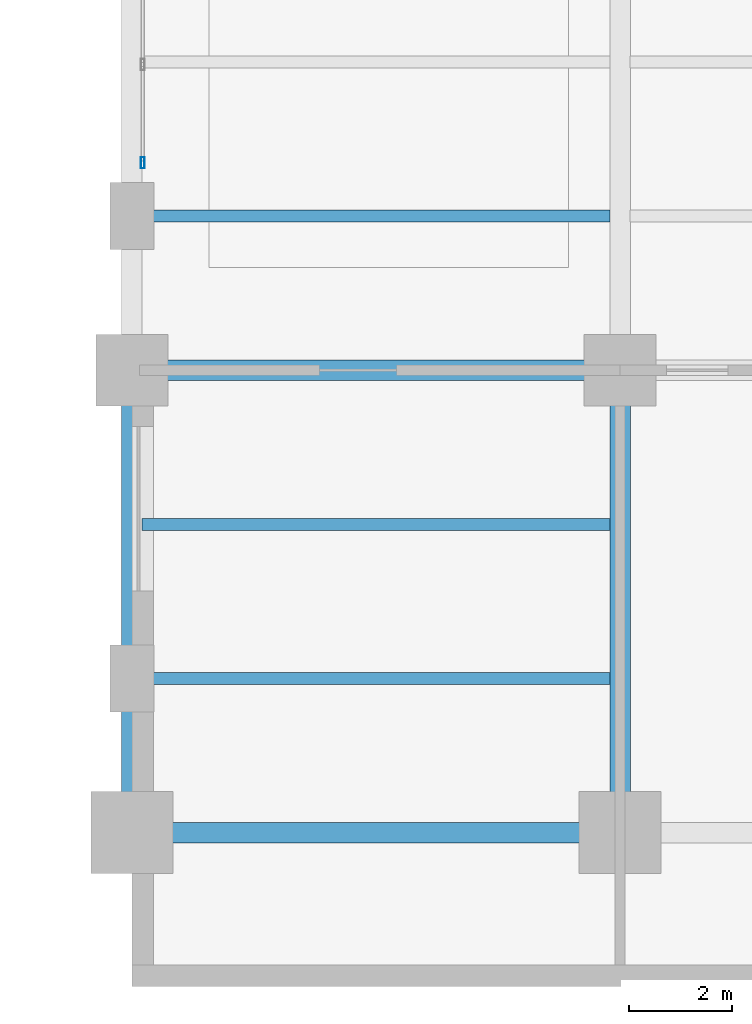
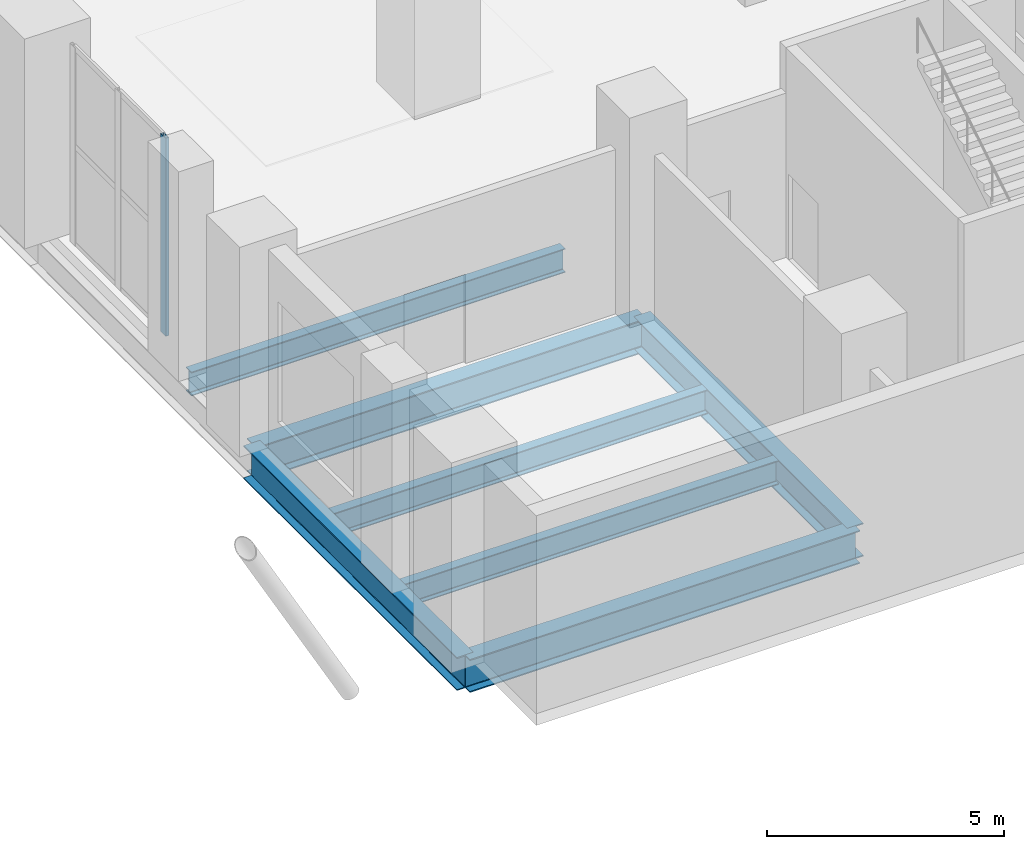
# One storey, part 7 of 20: 7 beams, 1 member, 1 element without a shape of its own.
"""IFC4 building model written with IfcOpenShell, lengths in metres."""

import ifcopenshell
import ifcopenshell.guid

model = None  # the IFC model being written
_history = None  # IfcOwnerHistory: only IFC2X3 demands one
_inside = {}  # id of a spatial element -> (the spatial element, [elements in it])
_under = {}  # id of a project, library or spatial element -> (it, [spatial elements below it])
_declared = {}  # id of a project -> (the project, [libraries it declares])
_typed = {}  # id of a type object -> (the type object, [elements of that type])
_made_of = {}  # id of a material, layer set ... -> (it, [elements and type objects made of it])


def new_model(schema):
    """Start an empty IFC model of exactly this schema.

    Asked for "IFC4X3", IfcOpenShell would pick the latest addendum, in which some entities
    have other attributes; the version numbers below select the first issue.
    IFC2X3 requires an IfcOwnerHistory on every rooted entity: one is made here for all.
    """
    global model, _history
    if schema == "IFC4X3":
        model = ifcopenshell.file(schema_version=(4, 3, 0, 0))
    else:
        model = ifcopenshell.file(schema=schema)
    _inside.clear()
    _under.clear()
    _declared.clear()
    _typed.clear()
    _made_of.clear()
    _history = None
    if model.schema == "IFC2X3":
        org = make("IfcOrganization", Name="unknown")
        user = make(
            "IfcPersonAndOrganization",
            ThePerson=make("IfcPerson", FamilyName="unknown"),
            TheOrganization=org,
        )
        app = make(
            "IfcApplication",
            ApplicationDeveloper=org,
            Version="unknown",
            ApplicationFullName="unknown",
            ApplicationIdentifier="unknown",
        )
        _history = make(
            "IfcOwnerHistory",
            OwningUser=user,
            OwningApplication=app,
            ChangeAction="ADDED",
            CreationDate=0,
        )
    return model


def make(cls, **values):
    """One entity of the class cls with the attributes given. An attribute that is None is left unset."""
    return model.create_entity(
        cls, **{name: value for name, value in values.items() if value is not None}
    )


def rooted(cls, **values):
    """An entity with a GlobalId (a new one), such as an element, a storey or a relation."""
    return make(cls, GlobalId=ifcopenshell.guid.new(), OwnerHistory=_history, **values)


def si_unit(unit_type, name, prefix=None):
    """IfcSIUnit, for example si_unit("LENGTHUNIT", "METRE", prefix="MILLI")."""
    return make("IfcSIUnit", UnitType=unit_type, Prefix=prefix, Name=name)


def assignment(units):
    """IfcUnitAssignment: the units of a project."""
    return None if units is None else make("IfcUnitAssignment", Units=units)


def point(xyz):
    """IfcCartesianPoint."""
    return None if xyz is None else make("IfcCartesianPoint", Coordinates=xyz)


def direction(xyz):
    """IfcDirection."""
    return None if xyz is None else make("IfcDirection", DirectionRatios=xyz)


def frame(location, z_axis=None, x_axis=None):
    """IfcAxis2Placement3D, a coordinate frame: its origin and axes. An axis left out is left unset."""
    return make(
        "IfcAxis2Placement3D",
        Location=point(location),
        Axis=direction(z_axis),
        RefDirection=direction(x_axis),
    )


def frame_2d(location, x_axis=None):
    """IfcAxis2Placement2D, a coordinate frame in the plane: its origin and x axis."""
    return make(
        "IfcAxis2Placement2D", Location=point(location), RefDirection=direction(x_axis)
    )


def origin():
    """The frame at (0, 0, 0) with its axes left unset."""
    return frame((0.0, 0.0, 0.0))


def origin_2d():
    """The frame at (0, 0) in the plane with its x axis left unset."""
    return frame_2d((0.0, 0.0))


def place(relative_to, where):
    """IfcLocalPlacement: puts the frame where relative to a parent placement (None: the world)."""
    return make(
        "IfcLocalPlacement", PlacementRelTo=relative_to, RelativePlacement=where
    )


def context(
    kind, dimensions, precision=None, world=None, true_north=None, identifier=None
):
    """IfcGeometricRepresentationContext, for example the 3D "Model" context."""
    return make(
        "IfcGeometricRepresentationContext",
        ContextIdentifier=identifier,
        ContextType=kind,
        CoordinateSpaceDimension=dimensions,
        Precision=precision,
        WorldCoordinateSystem=world,
        TrueNorth=true_north,
    )


def subcontext(parent, identifier, kind, view, scale=None):
    """IfcGeometricRepresentationSubContext, for example "Body" below "Model"."""
    return make(
        "IfcGeometricRepresentationSubContext",
        ContextIdentifier=identifier,
        ContextType=kind,
        ParentContext=parent,
        TargetScale=scale,
        TargetView=view,
    )


def project(units=None, contexts=None):
    """IfcProject with its units and contexts."""
    return rooted(
        "IfcProject",
        Name="project",
        RepresentationContexts=contexts,
        UnitsInContext=assignment(units),
    )


def spatial(cls, under=None, at=None, **own):
    """A site, building, storey or space (cls), placed at a placement, below another one or the project."""
    s = rooted(cls, ObjectPlacement=at, **own)
    if under is not None:
        _under.setdefault(under.id(), (under, []))[1].append(s)
    return s


def profile(cls, at=None, kind="AREA", **sizes):
    """A parametric profile (cls). Its sizes go by their IFC names, for example OverallWidth=200.0."""
    return make(cls, ProfileType=kind, Position=at, **sizes)


def hollow_rectangle(**sizes):
    """IfcRectangleHollowProfileDef."""
    return profile("IfcRectangleHollowProfileDef", **sizes)


def i_section(**sizes):
    """IfcIShapeProfileDef."""
    return profile("IfcIShapeProfileDef", **sizes)


def extrude(swept, where, along, depth):
    """IfcExtrudedAreaSolid: the profile swept, set in the frame where, extruded along a direction by depth."""
    return make(
        "IfcExtrudedAreaSolid",
        SweptArea=swept,
        Position=where,
        ExtrudedDirection=direction(along),
        Depth=depth,
    )


def shape(context_of_items, identifier, shape_type, items):
    """IfcShapeRepresentation: the items that make up one representation, for example the "Body"."""
    return make(
        "IfcShapeRepresentation",
        ContextOfItems=context_of_items,
        RepresentationIdentifier=identifier,
        RepresentationType=shape_type,
        Items=items,
    )


def material(Name=None, Category=None):
    """IfcMaterial."""
    return make("IfcMaterial", Name=Name, Category=Category)


def layer(
    of_material, thickness, ventilated=None, Name=None, Category=None, Priority=None
):
    """IfcMaterialLayer: one layer of a wall or slab, of a material (None: an air gap)."""
    return make(
        "IfcMaterialLayer",
        Material=of_material,
        LayerThickness=thickness,
        IsVentilated=ventilated,
        Name=Name,
        Category=Category,
        Priority=Priority,
    )


def layer_set(layers, Name=None):
    """IfcMaterialLayerSet."""
    return make("IfcMaterialLayerSet", MaterialLayers=layers, LayerSetName=Name)


def material_profile(
    of_material, cross_section, Name=None, Category=None, Priority=None
):
    """IfcMaterialProfile: a cross section and its material."""
    return make(
        "IfcMaterialProfile",
        Name=Name,
        Material=of_material,
        Profile=cross_section,
        Priority=Priority,
        Category=Category,
    )


def profile_set(profiles, Name=None, composite=None):
    """IfcMaterialProfileSet."""
    return make(
        "IfcMaterialProfileSet",
        Name=Name,
        MaterialProfiles=profiles,
        CompositeProfile=composite,
    )


def made_of(thing, what):
    """Note that an element or type object is made of a material, layer set ...; save() writes the relation."""
    if what is not None:
        _made_of.setdefault(what.id(), (what, []))[1].append(thing)
    return thing


def type_object(cls, material=None, **own):
    """A type object (cls), such as IfcWallType, which elements share."""
    return made_of(rooted(cls, **own), material)


def element(
    cls,
    number,
    at=None,
    inside=None,
    cuts=None,
    type_object=None,
    material=None,
    context=None,
    identifier="Body",
    shape_type=None,
    held_by="IfcProductDefinitionShape",
    body=None,
    shapes=None,
    **own,
):
    """One element of the class cls, such as IfcWall. Its Tag is "e" and its number.

    at: its placement. inside: the storey or other place that contains it. cuts: it is an
    opening in that element (IfcRelVoidsElement). A single representation is given by context,
    identifier, shape_type and body (its items); several are given by shapes. held_by: the class
    of the entity that holds the representations. save() writes the other relations.
    """
    e = rooted(cls, Tag="e%d" % number, ObjectPlacement=at, **own)
    if body is not None:
        shapes = [shape(context, identifier, shape_type, body)]
    if shapes is not None:
        e.Representation = make(held_by, Representations=shapes)
    if inside is not None:
        _inside.setdefault(inside.id(), (inside, []))[1].append(e)
    if cuts is not None:
        rooted(
            "IfcRelVoidsElement", RelatingBuildingElement=cuts, RelatedOpeningElement=e
        )
    if type_object is not None:
        _typed.setdefault(type_object.id(), (type_object, []))[1].append(e)
    return made_of(e, material)


def aggregate(whole, parts):
    """IfcRelAggregates: a whole, such as a stair, and the parts it consists of."""
    return rooted("IfcRelAggregates", RelatingObject=whole, RelatedObjects=parts)


def save(model, path):
    """Write the relations noted so far, then the file.

    IfcRelAggregates (storeys below a building ...), IfcRelContainedInSpatialStructure (elements
    in a storey), IfcRelDefinesByType, IfcRelAssociatesMaterial and IfcRelDeclares: one each for
    every whole, place, type object, material and project.
    """
    for whole, parts in _under.values():
        aggregate(whole, parts)
    for where, things in _inside.values():
        rooted(
            "IfcRelContainedInSpatialStructure",
            RelatedElements=things,
            RelatingStructure=where,
        )
    for kind, things in _typed.values():
        rooted("IfcRelDefinesByType", RelatedObjects=things, RelatingType=kind)
    for what, things in _made_of.values():
        rooted("IfcRelAssociatesMaterial", RelatedObjects=things, RelatingMaterial=what)
    for by, libraries in _declared.values():
        rooted("IfcRelDeclares", RelatingContext=by, RelatedDefinitions=libraries)
    model.write(path)


model = new_model("IFC4")

# Units and contexts
model_context = context("Model", 3, precision=1e-05, world=origin(), true_north=direction((0.0, 1.0)))
body_context = subcontext(model_context, "Body", "Model", "MODEL_VIEW")
ifc_project = project(units=[si_unit("LENGTHUNIT", "METRE"), si_unit("AREAUNIT", "SQUARE_METRE"), si_unit("VOLUMEUNIT", "CUBIC_METRE"), si_unit("PLANEANGLEUNIT", "RADIAN"), si_unit("MASSUNIT", "GRAM", prefix="KILO")], contexts=[model_context])

# Site, building, storey
site_placement = place(None, origin())
site = spatial("IfcSite", under=ifc_project, at=site_placement, CompositionType="ELEMENT")
building_placement = place(site_placement, origin())
building = spatial("IfcBuilding", under=site, at=building_placement, Name="Mawjdan Bourse Tower", CompositionType="ELEMENT")
storey_placement = place(building_placement, frame((0.0, 0.0, 5.39990234375)))
storey = spatial("IfcBuildingStorey", under=building, at=storey_placement, Name="L01", CompositionType="ELEMENT", Elevation=5.39990234375)

# Beams
ifc_material_1 = material(Name="Structural Steel S355", Category="steel")
ifc_material_profile_1 = material_profile(ifc_material_1, i_section(OverallWidth=0.39892578125, OverallDepth=0.85595703125, WebThickness=0.018310546875, FlangeThickness=0.029296875, FilletRadius=0.0234375, at=origin_2d()), Name="W33X201")
ifc_profile_set_1 = profile_set([ifc_material_profile_1], Name="Structural Steel S355")
beam_type_1 = type_object("IfcBeamType", Name="GRD-W33X201", PredefinedType="BEAM", material=ifc_profile_set_1)
for number, where, z_axis, x_axis, name in (
    (1, (51.0, 3.0, -0.727783203125), (0.0, 1.0, 0.0), (-1.0, 0.0, 0.0), "L01 Podium Primary Girder 026"),
    (2, (60.5, 3.0, -0.727783203125), (0.0, 1.0, 0.0), (-1.0, 0.0, 0.0), "L01 Podium Primary Girder 031"),
):
    element("IfcBeam", number, at=place(storey_placement, frame(where, z_axis=z_axis, x_axis=x_axis)), inside=storey, type_object=beam_type_1, Name=name, PredefinedType="BEAM", context=body_context, shape_type="SweptSolid", body=[
        extrude(i_section(OverallWidth=0.39892578125, OverallDepth=0.85595703125, WebThickness=0.018310546875, FlangeThickness=0.029296875, FilletRadius=0.0234375, at=origin_2d()), origin(), (0.0, 0.0, 1.0), 9.0),
    ])
for number, where, z_axis, x_axis, name in (
    (3, (51.0, 3.0, -0.727783203125), (1.0, 0.0, 0.0), (0.0, 1.0, 0.0), "L01 Podium Tie Girder 043"),
    (4, (51.0, 12.0, -0.727783203125), (1.0, 0.0, 0.0), (0.0, 1.0, 0.0), "L01 Podium Tie Girder 047"),
):
    element("IfcBeam", number, at=place(storey_placement, frame(where, z_axis=z_axis, x_axis=x_axis)), inside=storey, type_object=beam_type_1, Name=name, PredefinedType="BEAM", context=body_context, shape_type="SweptSolid", body=[
        extrude(i_section(OverallWidth=0.39892578125, OverallDepth=0.85595703125, WebThickness=0.018310546875, FlangeThickness=0.029296875, FilletRadius=0.0234375, at=origin_2d()), origin(), (0.0, 0.0, 1.0), 9.5),
    ])
ifc_material_profile_2 = material_profile(ifc_material_1, i_section(OverallWidth=0.22998046875, OverallDepth=0.616943359375, WebThickness=0.01318359375, FlangeThickness=0.022216796875, FilletRadius=0.017822265625, at=origin_2d()), Name="W24X94")
ifc_profile_set_2 = profile_set([ifc_material_profile_2], Name="Structural Steel S355")
beam_type_2 = type_object("IfcBeamType", Name="JST-W24X94", PredefinedType="JOIST", material=ifc_profile_set_2)
for number, where, z_axis, x_axis, name in (
    (5, (51.197509765625, 6.0, -0.6083984375), (1.0, 0.0, 0.0), (0.0, 1.0, 0.0), "L01 Composite Floor Joist 079"),
    (6, (51.197509765625, 9.0, -0.6083984375), (1.0, 0.0, 0.0), (0.0, 1.0, 0.0), "L01 Composite Floor Joist 082"),
    (7, (51.197509765625, 15.0, -0.6083984375), (1.0, 0.0, 0.0), (0.0, 1.0, 0.0), "L01 Composite Floor Joist 085"),
):
    element("IfcBeam", number, at=place(storey_placement, frame(where, z_axis=z_axis, x_axis=x_axis)), inside=storey, type_object=beam_type_2, Name=name, PredefinedType="JOIST", context=body_context, shape_type="SweptSolid", body=[
        extrude(i_section(OverallWidth=0.22998046875, OverallDepth=0.616943359375, WebThickness=0.01318359375, FlangeThickness=0.022216796875, FilletRadius=0.017822265625, at=origin_2d()), origin(), (0.0, 0.0, 1.0), 9.10498046875),
    ])

# Curtain wall, member
ifc_material_2 = material(Name="Thermally Broken Aluminium and Solar Glass", Category="aluminium")
ifc_layer = layer(ifc_material_2, 0.219970703125)
ifc_layer_set = layer_set([ifc_layer], Name="Thermally Broken Aluminium and Solar Glass")
curtain_wall_type = type_object("IfcCurtainWallType", Name="CW-ARCH", PredefinedType="USERDEFINED", material=ifc_layer_set)
curtain_wall_placement = place(storey_placement, origin())
curtain_wall = element("IfcCurtainWall", 8, at=curtain_wall_placement, inside=storey, type_object=curtain_wall_type, Name="L01 Giant Arch East Glazed Wall South", ObjectType="ARCHWAY GLAZED CURTAIN WALL", PredefinedType="USERDEFINED")
ifc_material_3 = material(Name="Thermally Broken Anodised Aluminium", Category="aluminium")
ifc_material_profile_3 = material_profile(ifc_material_3, hollow_rectangle(XDim=0.074951171875, YDim=0.219970703125, WallThickness=0.0048828125, at=origin_2d()), Name="ALU-MUL-220X75")
ifc_profile_set_3 = profile_set([ifc_material_profile_3], Name="Thermally Broken Anodised Aluminium")
member_type = type_object("IfcMemberType", Name="MUL-ALU-MUL-220X75", PredefinedType="MULLION", material=ifc_profile_set_3)
member_placement = place(storey_placement, frame((51.2099609375, 16.03759765625, 0.0), z_axis=(0.0, 0.0, 1.0), x_axis=(-1.0, 0.0, 0.0)))
member = element("IfcMember", 9, at=member_placement, type_object=member_type, Name="CW-ARCH-L01-ARCH-E1 mullion 1", PredefinedType="MULLION", context=body_context, shape_type="SweptSolid", body=[
    extrude(hollow_rectangle(XDim=0.074951171875, YDim=0.219970703125, WallThickness=0.0048828125, at=origin_2d()), origin(), (0.0, 0.0, 1.0), 5.10009765625),
])
aggregate(curtain_wall, [member])

save(model, "model.ifc")
